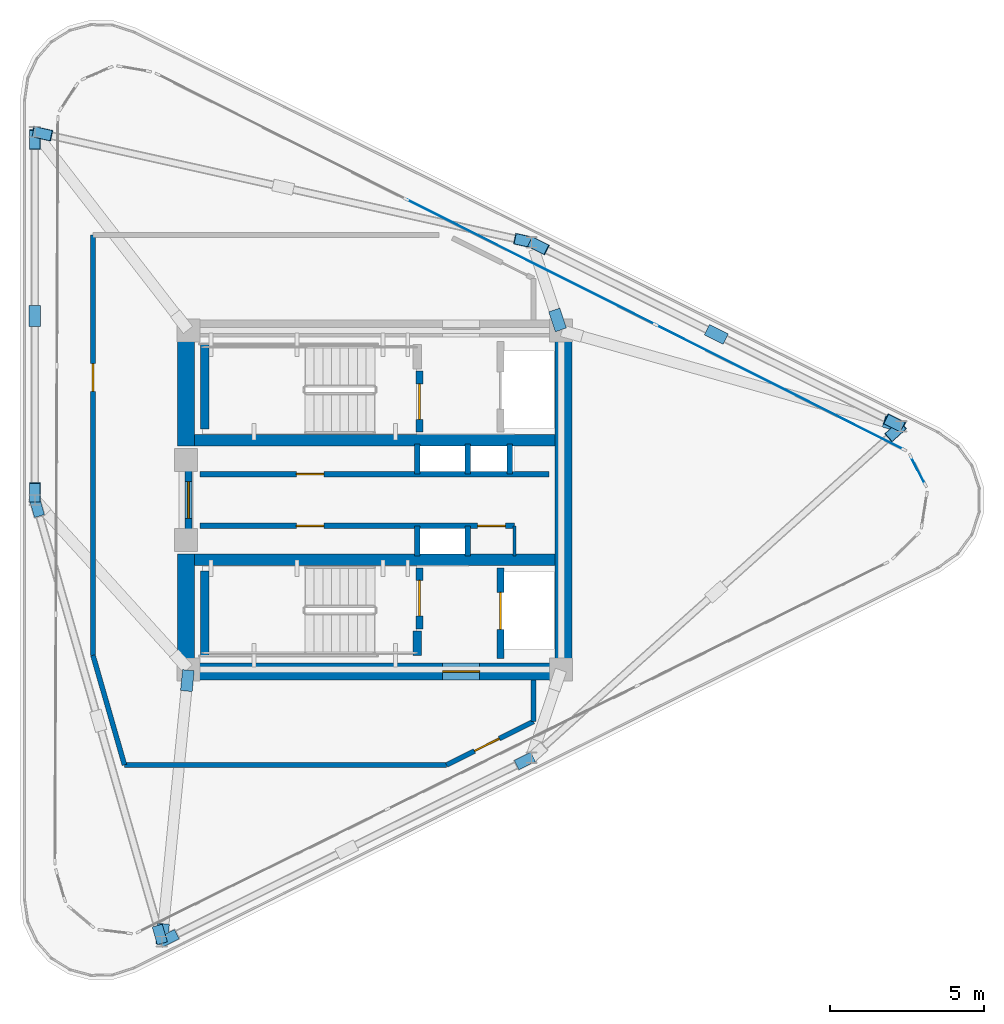
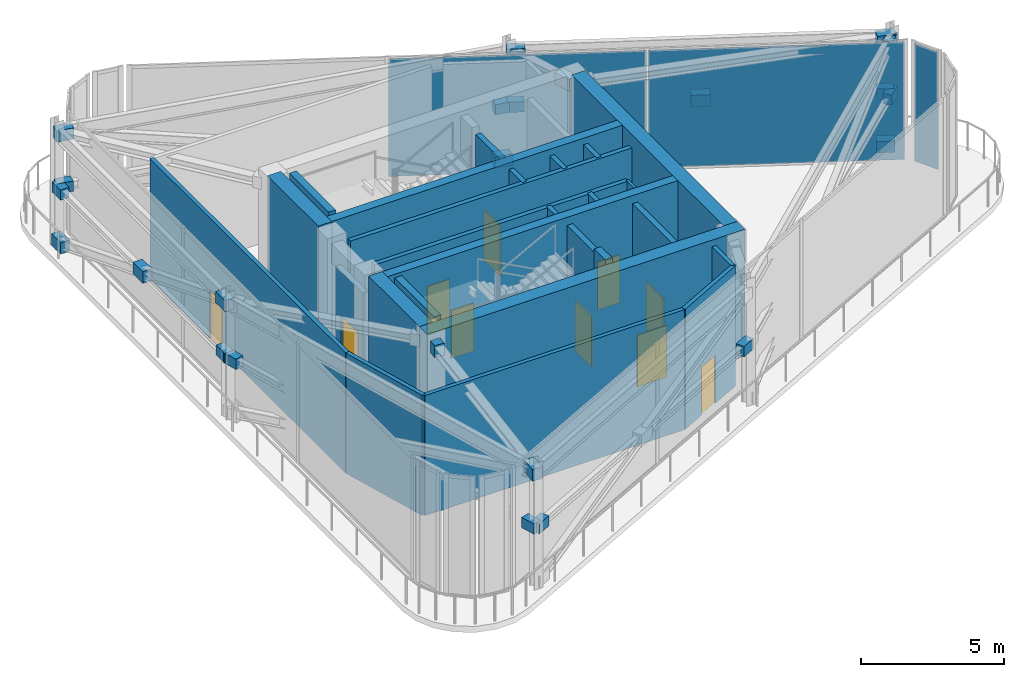
# One storey, part 4 of 9: 27 plates, 26 walls, 10 doors, 10 openings, 2 elements without a shape of their own.
"""IFC4 building model written with IfcOpenShell, lengths in metres."""

from ifc_helpers import new_model, si_unit, direction, frame, frame_2d, origin, origin_2d, place, context, subcontext, project, spatial, rectangle, extrude, source, transform, mapped, material, layer, layer_set, type_object, element, fill, aggregate, save


model = new_model("IFC4")

# Units and contexts
model_context = context("Model", 3, precision=1e-05, world=origin(), true_north=direction((0.0, 1.0)))
body_context = subcontext(model_context, "Body", "Model", "MODEL_VIEW")
ifc_project = project(units=[si_unit("LENGTHUNIT", "METRE"), si_unit("AREAUNIT", "SQUARE_METRE"), si_unit("VOLUMEUNIT", "CUBIC_METRE"), si_unit("PLANEANGLEUNIT", "RADIAN"), si_unit("MASSUNIT", "GRAM", prefix="KILO")], contexts=[model_context])

# Site, building, storey
site_placement = place(None, origin())
site = spatial("IfcSite", under=ifc_project, at=site_placement, CompositionType="ELEMENT")
building_placement = place(site_placement, origin())
building = spatial("IfcBuilding", under=site, at=building_placement, Name="Yunling Apex Tower", CompositionType="ELEMENT")
storey_placement = place(building_placement, frame((0.0, 0.0, 317.449951171875)))
storey = spatial("IfcBuildingStorey", under=building, at=storey_placement, Name="C01", CompositionType="ELEMENT", Elevation=317.449951171875)

# Plates
ifc_material_1 = material(Name="Steel Q355B", Category="steel")
ifc_layer_1 = layer(ifc_material_1, 0.031982421875)
ifc_layer_set_1 = layer_set([ifc_layer_1], Name="Steel Q355B")
plate_type_1 = type_object("IfcPlateType", Name="NP-GUS-2", PredefinedType="USERDEFINED", material=ifc_layer_set_1)
shared_shape_1 = source(origin(), body_context, "Body", "SweptSolid", [
    extrude(rectangle(XDim=0.64990234375, YDim=0.360107421875, at=origin_2d()), origin(), (0.0, 0.0, 1.0), 0.47998046875),
])
for number, where, z_axis, x_axis, name in (
    (1, (16.906494140625, 2.22998046875, 4.550048828125), (0.0, 0.0, 1.0), (0.744661120495, 0.66744274333, 0.0), "C01 Crown Rafter Head Gusset Plate 352"),
    (2, (16.8701171875, 2.499267578125, 0.06005859375), (0.0, 0.0, 1.0), (-0.895245648325, 0.445572922377, 0.0), "C01 Crown Rafter Foot Gusset Plate 358"),
    (3, (5.302978515625, 8.25634765625, 4.550048828125), (0.0, 0.0, 1.0), (-0.895245648325, 0.445572922377, 0.0), "C01 Crown Rafter Head Gusset Plate 359"),
    (4, (4.85009765625, 8.41650390625, 0.06005859375), (0.0, 0.0, 1.0), (-0.976220395964, 0.216780392341, 0.0), "C01 Crown Rafter Foot Gusset Plate 365"),
    (5, (-10.801025390625, 11.892822265625, 4.550048828125), (0.0, 0.0, 1.0), (-0.976220395964, 0.216780392341, 0.0), "C01 Crown Rafter Head Gusset Plate 366"),
    (6, (-11.037353515625, 11.703369140625, 0.06005859375), (0.0, 0.0, 1.0), (0.0, -1.0, 0.0), "C01 Crown Rafter Foot Gusset Plate 371"),
    (7, (-11.037353515625, 0.241943359375, 4.550048828125), (0.0, 0.0, 1.0), (0.0, -1.0, 0.0), "C01 Crown Rafter Head Gusset Plate 372"),
):
    element("IfcPlate", number, at=place(storey_placement, frame(where, z_axis=z_axis, x_axis=x_axis)), inside=storey, type_object=plate_type_1, Name=name, ObjectType="GUSSET_PLATE", PredefinedType="USERDEFINED", context=body_context, shape_type="MappedRepresentation", body=[
        mapped(shared_shape_1, transform((0.0, 0.0, 0.0), scale=1.0)),
    ])
shared_shape_2 = source(origin(), body_context, "Body", "SweptSolid", [
    extrude(rectangle(XDim=0.679931640625, YDim=0.3798828125, at=origin_2d()), origin(), (0.0, 0.0, 1.0), 0.5),
])
for number, where, z_axis, x_axis, name in (
    (8, (-6.08544921875, -5.86328125, 4.590087890625), (0.0, 0.0, 1.0), (-0.097235493922, -0.995261402206, 0.0), "C01 Crown Tie Strut Core Gusset Plate 349"),
    (9, (-6.890380859375, -14.095703125, 4.590087890625), (0.0, 0.0, 1.0), (-0.097235493922, -0.995261402206, 0.0), "C01 Crown Tie Strut Perimeter Gusset Plate 350"),
    (10, (11.08642578125, 5.377685546875, 2.295166015625), (0.0, 0.0, 1.0), (-0.895245648325, 0.445572922377, 0.0), "C01 Crown Rafter-Purlin Midpoint Gusset Plate 360"),
    (11, (16.853759765625, 2.45703125, 4.590087890625), (0.0, 0.0, 1.0), (0.962549928407, -0.271104473079, 0.0), "C01 Crown Tie Strut Perimeter Gusset Plate 364"),
    (12, (5.93359375, 5.845947265625, 4.590087890625), (0.0, 0.0, 1.0), (-0.318959309298, 0.94776841001, 0.0), "C01 Crown Tie Strut Core Gusset Plate 370"),
    (13, (-11.037353515625, 5.97265625, 2.295166015625), (0.0, 0.0, 1.0), (0.0, -1.0, 0.0), "C01 Crown Rafter-Purlin Midpoint Gusset Plate 373"),
):
    element("IfcPlate", number, at=place(storey_placement, frame(where, z_axis=z_axis, x_axis=x_axis)), inside=storey, type_object=plate_type_1, Name=name, ObjectType="GUSSET_PLATE", PredefinedType="USERDEFINED", context=body_context, shape_type="MappedRepresentation", body=[
        mapped(shared_shape_2, transform((0.0, 0.0, 0.0), scale=1.0)),
    ])
shared_shape_3 = source(origin(), body_context, "Body", "SweptSolid", [
    extrude(rectangle(XDim=0.60009765625, YDim=0.340087890625, at=origin_2d()), origin(), (0.0, 0.0, 1.0), 0.43994140625),
])
for number, where, z_axis, x_axis, name in (
    (14, (-6.697509765625, -14.22900390625, 2.3251953125), (0.0, 0.0, 1.0), (0.895245648325, 0.445572922377, 0.0), "C01 Crown Purlin Column Gusset Plate 347"),
    (15, (4.86962890625, -8.471923828125, 2.3251953125), (0.0, 0.0, 1.0), (0.895245648325, 0.445572922377, 0.0), "C01 Crown Purlin Column Gusset Plate 348"),
    (16, (16.906494140625, 2.22998046875, 2.3251953125), (0.0, 0.0, 1.0), (0.744661120495, 0.66744274333, 0.0), "C01 Crown Purlin Column Gusset Plate 355"),
    (17, (16.8701171875, 2.499267578125, 2.3251953125), (0.0, 0.0, 1.0), (-0.895245648325, 0.445572922377, 0.0), "C01 Crown Purlin Column Gusset Plate 361"),
    (18, (5.302978515625, 8.25634765625, 2.3251953125), (0.0, 0.0, 1.0), (-0.895245648325, 0.445572922377, 0.0), "C01 Crown Purlin Column Gusset Plate 362"),
    (19, (4.85009765625, 8.41650390625, 2.3251953125), (0.0, 0.0, 1.0), (-0.976220395964, 0.216780392341, 0.0), "C01 Crown Purlin Column Gusset Plate 368"),
    (20, (-10.801025390625, 11.892822265625, 2.3251953125), (0.0, 0.0, 1.0), (-0.976220395964, 0.216780392341, 0.0), "C01 Crown Purlin Column Gusset Plate 369"),
    (21, (-11.037353515625, 11.703369140625, 2.3251953125), (0.0, 0.0, 1.0), (0.0, -1.0, 0.0), "C01 Crown Purlin Column Gusset Plate 374"),
    (22, (-11.037353515625, 0.241943359375, 2.3251953125), (0.0, 0.0, 1.0), (0.0, -1.0, 0.0), "C01 Crown Purlin Column Gusset Plate 375"),
    (23, (-10.970458984375, -0.232666015625, 2.3251953125), (0.0, 0.0, 1.0), (0.276476109834, -0.961020790978, 0.0), "C01 Crown Purlin Column Gusset Plate 379"),
    (24, (-6.98095703125, -14.10400390625, 2.3251953125), (0.0, 0.0, 1.0), (0.276476109834, -0.961020790978, 0.0), "C01 Crown Purlin Column Gusset Plate 380"),
):
    element("IfcPlate", number, at=place(storey_placement, frame(where, z_axis=z_axis, x_axis=x_axis)), inside=storey, type_object=plate_type_1, Name=name, ObjectType="GUSSET_PLATE", PredefinedType="USERDEFINED", context=body_context, shape_type="MappedRepresentation", body=[
        mapped(shared_shape_3, transform((0.0, 0.0, 0.0), scale=1.0)),
    ])

# Curtain wall, plates
ifc_material_2 = material(Name="Bronze anodised aluminium", Category="aluminium")
ifc_layer_2 = layer(ifc_material_2, 0.179931640625)
ifc_layer_set_2 = layer_set([ifc_layer_2], Name="Bronze anodised aluminium")
curtain_wall_type = type_object("IfcCurtainWallType", Name="CW-SYS-6", PredefinedType="NOTDEFINED", material=ifc_layer_set_2)
curtain_wall_1_placement = place(storey_placement, origin())
curtain_wall_1 = element("IfcCurtainWall", 25, at=curtain_wall_1_placement, inside=storey, type_object=curtain_wall_type, Name="CW-C01-05", PredefinedType="NOTDEFINED")
ifc_material_3 = material(Name="Bronze fritted laminated crown glass", Category="glass")
ifc_layer_3 = layer(ifc_material_3, 0.02587890625)
ifc_layer_set_3 = layer_set([ifc_layer_3], Name="Bronze fritted laminated crown glass")
plate_type_2 = type_object("IfcPlateType", Name="CW-PNL-6", PredefinedType="CURTAIN_PANEL", material=ifc_layer_set_3)
shared_shape_4 = source(origin(), body_context, "Body", "SweptSolid", [
    extrude(rectangle(XDim=8.96728515625, YDim=0.02587890625, at=origin_2d()), origin(), (0.0, 0.0, 1.0), 5.005615234375),
])
plate_1_placement = place(storey_placement, frame((13.1474609375, 3.662353515625, 0.0673828125), z_axis=(0.0, 0.0, 1.0), x_axis=(0.893417296148, -0.449227709457, 0.0)))
plate_1 = element("IfcPlate", 26, at=plate_1_placement, type_object=plate_type_2, Name="CW-SYS-6 panel 3.1", PredefinedType="CURTAIN_PANEL", context=body_context, shape_type="MappedRepresentation", body=[
    mapped(shared_shape_4, transform((0.0, 0.0, 0.0), scale=1.0)),
])
shared_shape_5 = source(origin(), body_context, "Body", "SweptSolid", [
    extrude(rectangle(XDim=9.004638671875, YDim=0.02587890625, at=origin_2d()), origin(), (0.0, 0.0, 1.0), 5.005615234375),
])
plate_2_placement = place(storey_placement, frame((5.06591796875, 7.725830078125, 0.0673828125), z_axis=(0.0, 0.0, 1.0), x_axis=(0.893417296148, -0.449227709457, 0.0)))
plate_2 = element("IfcPlate", 27, at=plate_2_placement, type_object=plate_type_2, Name="CW-SYS-6 panel 2.1", PredefinedType="CURTAIN_PANEL", context=body_context, shape_type="MappedRepresentation", body=[
    mapped(shared_shape_5, transform((0.0, 0.0, 0.0), scale=1.0)),
])
aggregate(curtain_wall_1, [plate_2, plate_1])

# Curtain wall, plate
curtain_wall_2_placement = place(storey_placement, origin())
curtain_wall_2 = element("IfcCurtainWall", 28, at=curtain_wall_2_placement, inside=storey, type_object=curtain_wall_type, Name="CW-C01-06", PredefinedType="NOTDEFINED")
shared_shape_6 = source(origin(), body_context, "Body", "SweptSolid", [
    extrude(rectangle(XDim=0.99462890625, YDim=0.02587890625, at=origin_2d()), origin(), (0.0, 0.0, 1.0), 5.005615234375),
])
plate_3_placement = place(storey_placement, frame((17.6337890625, 0.95556640625, 0.0673828125), z_axis=(0.0, 0.0, 1.0), x_axis=(0.45756209706, -0.889177669161, 0.0)))
plate_3 = element("IfcPlate", 29, at=plate_3_placement, type_object=plate_type_2, Name="CW-SYS-6 panel 1.1", PredefinedType="CURTAIN_PANEL", context=body_context, shape_type="MappedRepresentation", body=[
    mapped(shared_shape_6, transform((0.0, 0.0, 0.0), scale=1.0)),
])
aggregate(curtain_wall_2, [plate_3])

# Wall, opening, door
ifc_material_4 = material(Name="Concrete C40", Category="concrete")
ifc_layer_4 = layer(ifc_material_4, 0.550048828125)
ifc_layer_set_4 = layer_set([ifc_layer_4], Name="Concrete C40")
wall_type_1 = type_object("IfcWallType", Name="WL-COR-3", PredefinedType="SHEAR", material=ifc_layer_set_4)
wall_1_placement = place(storey_placement, frame((-6.39990234375, -5.574951171875, 0.0), z_axis=(0.0, 0.0, 1.0), x_axis=(1.0, 0.0, 0.0)))
wall_1 = element("IfcWall", 30, at=wall_1_placement, inside=storey, type_object=wall_type_1, Name="C01 South Core Shear Wall", PredefinedType="SHEAR", context=body_context, shape_type="SweptSolid", body=[
    extrude(rectangle(XDim=12.7998046875, YDim=0.550048828125, at=frame_2d((6.39990234375, 0.0))), origin(), (0.0, 0.0, 1.0), 5.400146484375),
])
opening_1_placement = place(wall_1_placement, frame((8.60009765625, 0.0, 0.0)))
opening_1 = element("IfcOpeningElement", 31, at=opening_1_placement, cuts=wall_1, Name="Opening DR-FFL-1", PredefinedType="OPENING", context=body_context, shape_type="SweptSolid", body=[
    extrude(rectangle(XDim=1.199951171875, YDim=2.199951171875, at=frame_2d((0.60009765625, 1.10009765625))), frame((0.0, 0.28515625, 0.0), z_axis=(0.0, -1.0, 0.0), x_axis=(1.0, 0.0, 0.0)), (0.0, 0.0, 1.0), 0.570068359375),
])
door_type_1 = type_object("IfcDoorType", Name="DR-FFL-1", OperationType="NOTDEFINED", PredefinedType="DOOR", material=ifc_material_1)
door_1_placement = place(opening_1_placement, origin())
door_1 = element("IfcDoor", 32, at=door_1_placement, inside=storey, type_object=door_type_1, Name="C01 South Firefighting Lobby Door", OperationType="SINGLE_SWING_RIGHT", OverallHeight=2.199951171875, OverallWidth=1.199951171875, PredefinedType="DOOR", context=body_context, shape_type="SweptSolid", body=[
    extrude(rectangle(XDim=1.199951171875, YDim=2.199951171875, at=frame_2d((0.60009765625, 1.10009765625))), frame((0.0, 0.02490234375, 0.0), z_axis=(0.0, -1.0, 0.0), x_axis=(1.0, 0.0, 0.0)), (0.0, 0.0, 1.0), 0.050048828125),
])
fill(opening_1, door_1)

# Walls
wall_2_placement = place(storey_placement, frame((6.125, -5.300048828125, 0.0), z_axis=(0.0, 0.0, 1.0), x_axis=(0.0, 1.0, 0.0)))
element("IfcWall", 33, at=wall_2_placement, inside=storey, type_object=wall_type_1, Name="C01 East Core Shear Wall", PredefinedType="SHEAR", context=body_context, shape_type="SweptSolid", body=[
    extrude(rectangle(XDim=10.60009765625, YDim=0.550048828125, at=frame_2d((5.300048828125, 0.0))), origin(), (0.0, 0.0, 1.0), 5.400146484375),
])
for number, where, z_axis, x_axis, name in (
    (34, (-6.125, -5.300048828125, 0.0), (0.0, 0.0, 1.0), (0.0, 1.0, 0.0), "C01 West-South Core Shear Wall"),
    (35, (-6.125, 1.75, 0.0), (0.0, 0.0, 1.0), (0.0, 1.0, 0.0), "C01 West-North Core Shear Wall"),
):
    element("IfcWall", number, at=place(storey_placement, frame(where, z_axis=z_axis, x_axis=x_axis)), inside=storey, type_object=wall_type_1, Name=name, PredefinedType="SHEAR", context=body_context, shape_type="SweptSolid", body=[
        extrude(rectangle(XDim=3.550048828125, YDim=0.550048828125, at=frame_2d((1.77490234375, 0.0))), origin(), (0.0, 0.0, 1.0), 5.400146484375),
    ])
ifc_layer_5 = layer(ifc_material_4, 0.360107421875)
ifc_layer_set_5 = layer_set([ifc_layer_5], Name="Concrete C40")
wall_type_2 = type_object("IfcWallType", Name="WL-COR-4", PredefinedType="SHEAR", material=ifc_layer_set_5)
for number, where, z_axis, x_axis, name in (
    (36, (-5.85009765625, 1.93994140625, 0.0), (0.0, 0.0, 1.0), (1.0, 0.0, 0.0), "C01 North Internal Core Shear Wall"),
    (37, (-5.85009765625, -1.93994140625, 0.0), (0.0, 0.0, 1.0), (1.0, 0.0, 0.0), "C01 South Internal Core Shear Wall"),
):
    element("IfcWall", number, at=place(storey_placement, frame(where, z_axis=z_axis, x_axis=x_axis)), inside=storey, type_object=wall_type_2, Name=name, PredefinedType="SHEAR", context=body_context, shape_type="SweptSolid", body=[
        extrude(rectangle(XDim=11.7001953125, YDim=0.360107421875, at=frame_2d((5.85009765625, 0.0))), origin(), (0.0, 0.0, 1.0), 5.400146484375),
    ])
ifc_layer_6 = layer(ifc_material_4, 0.280029296875)
ifc_layer_set_6 = layer_set([ifc_layer_6], Name="Concrete C40")
wall_type_3 = type_object("IfcWallType", Name="WL-COR-8", PredefinedType="SHEAR", material=ifc_layer_set_6)
for number, where, z_axis, x_axis, name in (
    (38, (-5.52001953125, 2.300048828125, 0.0), (0.0, 0.0, 1.0), (0.0, 1.0, 0.0), "C01 ST-1 West Landing Bearing Wall"),
    (39, (-5.52001953125, -5.050048828125, 0.0), (0.0, 0.0, 1.0), (0.0, 1.0, 0.0), "C01 ST-2 West Landing Bearing Wall"),
):
    element("IfcWall", number, at=place(storey_placement, frame(where, z_axis=z_axis, x_axis=x_axis)), inside=storey, type_object=wall_type_3, Name=name, PredefinedType="SHEAR", context=body_context, shape_type="SweptSolid", body=[
        extrude(rectangle(XDim=2.75, YDim=0.280029296875, at=frame_2d((1.375, 0.0))), origin(), (0.0, 0.0, 1.0), 5.400146484375),
    ])
wall_3_placement = place(storey_placement, frame((1.3798828125, -5.050048828125, 0.0), z_axis=(0.0, 0.0, 1.0), x_axis=(0.0, 1.0, 0.0)))
element("IfcWall", 40, at=wall_3_placement, inside=storey, type_object=wall_type_3, Name="C01 ST-2 East Landing Bearing Pier", PredefinedType="SHEAR", context=body_context, shape_type="SweptSolid", body=[
    extrude(rectangle(XDim=0.800048828125, YDim=0.280029296875, at=frame_2d((0.39990234375, 0.0))), origin(), (0.0, 0.0, 1.0), 5.400146484375),
])
ifc_material_5 = material(Name="Gypsum board acoustic partition")
ifc_layer_7 = layer(ifc_material_5, 0.159912109375)
ifc_layer_set_7 = layer_set([ifc_layer_7], Name="Gypsum board acoustic partition")
wall_type_4 = type_object("IfcWallType", Name="WL-PRT-1", PredefinedType="PARTITIONING", material=ifc_layer_set_7)
wall_4_placement = place(storey_placement, frame((-8.126953125, -8.60009765625, 0.0), z_axis=(0.0, 0.0, 1.0), x_axis=(-0.276340929224, 0.961059670799, 0.0)))
element("IfcWall", 41, at=wall_4_placement, inside=storey, type_object=wall_type_4, Name="WL-C01-CPCR-01", PredefinedType="PARTITIONING", context=body_context, shape_type="SweptSolid", body=[
    extrude(rectangle(XDim=3.70166015625, YDim=0.159912109375, at=frame_2d((1.850830078125, 0.0))), origin(), (0.0, 0.0, 1.0), 5.1201171875),
])

# Wall, opening, door
wall_5_placement = place(storey_placement, frame((-9.14990234375, -5.04248046875, 0.0), z_axis=(0.0, 0.0, 1.0), x_axis=(0.0, 1.0, 0.0)))
wall_5 = element("IfcWall", 42, at=wall_5_placement, inside=storey, type_object=wall_type_4, Name="WL-C01-CPCR-02", PredefinedType="PARTITIONING", context=body_context, shape_type="SweptSolid", body=[
    extrude(rectangle(XDim=13.642578125, YDim=0.159912109375, at=frame_2d((6.8212890625, 0.0))), origin(), (0.0, 0.0, 1.0), 5.1201171875),
])
opening_2_placement = place(wall_5_placement, frame((8.568115234375, 0.0, 0.0)))
opening_2 = element("IfcOpeningElement", 43, at=opening_2_placement, cuts=wall_5, Name="Opening DR-SHF-1", PredefinedType="OPENING", context=body_context, shape_type="SweptSolid", body=[
    extrude(rectangle(XDim=0.89990234375, YDim=2.050048828125, at=frame_2d((0.449951171875, 1.02490234375))), frame((0.0, 0.08984375, 0.0), z_axis=(0.0, -1.0, 0.0), x_axis=(1.0, 0.0, 0.0)), (0.0, 0.0, 1.0), 0.179931640625),
])
door_type_2 = type_object("IfcDoorType", Name="DR-SHF-1", OperationType="NOTDEFINED", PredefinedType="DOOR", material=ifc_material_1)
door_2_placement = place(opening_2_placement, origin())
door_2 = element("IfcDoor", 44, at=door_2_placement, inside=storey, type_object=door_type_2, Name="C01 High-Zone Primary AHU Ventilation Plant Room Door", OperationType="SINGLE_SWING_RIGHT", OverallHeight=2.050048828125, OverallWidth=0.89990234375, PredefinedType="DOOR", context=body_context, shape_type="SweptSolid", body=[
    extrude(rectangle(XDim=0.89990234375, YDim=2.050048828125, at=frame_2d((0.449951171875, 1.02490234375))), frame((0.0, 0.02490234375, 0.0), z_axis=(0.0, -1.0, 0.0), x_axis=(1.0, 0.0, 0.0)), (0.0, 0.0, 1.0), 0.050048828125),
])
fill(opening_2, door_2)

# Wall
wall_6_placement = place(storey_placement, frame((5.14990234375, -5.85009765625, 0.0), z_axis=(0.0, 0.0, 1.0), x_axis=(0.0, -1.0, 0.0)))
element("IfcWall", 45, at=wall_6_placement, inside=storey, type_object=wall_type_4, Name="WL-C01-CPCR-07", PredefinedType="PARTITIONING", context=body_context, shape_type="SweptSolid", body=[
    extrude(rectangle(XDim=1.34423828125, YDim=0.159912109375, at=frame_2d((0.672119140625, 0.0))), origin(), (0.0, 0.0, 1.0), 5.1201171875),
])

# Wall, opening, door
wall_7_placement = place(storey_placement, frame((5.14990234375, -7.1943359375, 0.0), z_axis=(0.0, 0.0, 1.0), x_axis=(-0.895230583317, -0.445603189725, 0.0)))
wall_7 = element("IfcWall", 46, at=wall_7_placement, inside=storey, type_object=wall_type_4, Name="WL-C01-CPCR-08", PredefinedType="PARTITIONING", context=body_context, shape_type="SweptSolid", body=[
    extrude(rectangle(XDim=3.15478515625, YDim=0.159912109375, at=frame_2d((1.577392578125, 0.0))), origin(), (0.0, 0.0, 1.0), 5.1201171875),
])
opening_3_placement = place(wall_7_placement, frame((1.240234375, 0.0, 0.0)))
opening_3 = element("IfcOpeningElement", 47, at=opening_3_placement, cuts=wall_7, Name="Opening DR-SHF-1", PredefinedType="OPENING", context=body_context, shape_type="SweptSolid", body=[
    extrude(rectangle(XDim=0.89990234375, YDim=2.050048828125, at=frame_2d((0.449951171875, 1.02490234375))), frame((0.0, 0.08984375, 0.0), z_axis=(0.0, -1.0, 0.0), x_axis=(1.0, 0.0, 0.0)), (0.0, 0.0, 1.0), 0.179931640625),
])
door_3_placement = place(opening_3_placement, origin())
door_3 = element("IfcDoor", 48, at=door_3_placement, inside=storey, type_object=door_type_2, Name="C01 Rooftop Centrifugal Chiller Plant Room Door", OperationType="SINGLE_SWING_RIGHT", OverallHeight=2.050048828125, OverallWidth=0.89990234375, PredefinedType="DOOR", context=body_context, shape_type="SweptSolid", body=[
    extrude(rectangle(XDim=0.89990234375, YDim=2.050048828125, at=frame_2d((0.449951171875, 1.02490234375))), frame((0.0, 0.02490234375, 0.0), z_axis=(0.0, -1.0, 0.0), x_axis=(1.0, 0.0, 0.0)), (0.0, 0.0, 1.0), 0.050048828125),
])
fill(opening_3, door_3)

# Walls
wall_8_placement = place(storey_placement, frame((2.32568359375, -8.60009765625, 0.0), z_axis=(0.0, 0.0, 1.0), x_axis=(-1.0, 0.0, 0.0)))
element("IfcWall", 49, at=wall_8_placement, inside=storey, type_object=wall_type_4, Name="WL-C01-CPCR-09", PredefinedType="PARTITIONING", context=body_context, shape_type="SweptSolid", body=[
    extrude(rectangle(XDim=10.45263671875, YDim=0.159912109375, at=frame_2d((5.226318359375, 0.0))), origin(), (0.0, 0.0, 1.0), 5.1201171875),
])
ifc_layer_8 = layer(ifc_material_5, 0.10009765625)
ifc_layer_set_8 = layer_set([ifc_layer_8], Name="Gypsum board acoustic partition")
wall_type_5 = type_object("IfcWallType", Name="WL-PRT-4", PredefinedType="PARTITIONING", material=ifc_layer_set_8)
wall_9_placement = place(storey_placement, frame((4.5400390625, -1.820068359375, 0.0), z_axis=(0.0, 0.0, 1.0), x_axis=(0.0, 1.0, 0.0)))
element("IfcWall", 50, at=wall_9_placement, inside=storey, type_object=wall_type_5, Name="WL-KASE-E-C01", PredefinedType="PARTITIONING", context=body_context, shape_type="SweptSolid", body=[
    extrude(rectangle(XDim=0.97998046875, YDim=0.10009765625, at=frame_2d((0.489990234375, 0.0))), origin(), (0.0, 0.0, 1.0), 5.1201171875),
])

# Wall, opening, door
ifc_material_6 = material(Name="Autoclaved aerated concrete masonry", Category="masonry")
ifc_layer_9 = layer(ifc_material_6, 0.219970703125)
ifc_layer_set_9 = layer_set([ifc_layer_9], Name="Autoclaved aerated concrete masonry")
wall_type_6 = type_object("IfcWallType", Name="WL-SHF-1", PredefinedType="PLUMBINGWALL", material=ifc_layer_set_9)
wall_10_placement = place(storey_placement, frame((-6.050048828125, -0.949951171875, 0.0), z_axis=(0.0, 0.0, 1.0), x_axis=(0.0, 1.0, 0.0)))
wall_10 = element("IfcWall", 51, at=wall_10_placement, inside=storey, type_object=wall_type_6, Name="WL-COR-WPORT-C01", PredefinedType="PLUMBINGWALL", context=body_context, shape_type="SweptSolid", body=[
    extrude(rectangle(XDim=1.89990234375, YDim=0.219970703125, at=frame_2d((0.949951171875, 0.0))), origin(), (0.0, 0.0, 1.0), 4.10009765625),
])
opening_4_placement = place(wall_10_placement, frame((0.35009765625, 0.0, 0.0)))
opening_4 = element("IfcOpeningElement", 52, at=opening_4_placement, cuts=wall_10, Name="Opening DR-FFL-1", PredefinedType="OPENING", context=body_context, shape_type="SweptSolid", body=[
    extrude(rectangle(XDim=1.199951171875, YDim=2.199951171875, at=frame_2d((0.60009765625, 1.10009765625))), frame((0.0, 0.1201171875, 0.0), z_axis=(0.0, -1.0, 0.0), x_axis=(1.0, 0.0, 0.0)), (0.0, 0.0, 1.0), 0.239990234375),
])
door_4_placement = place(opening_4_placement, origin())
door_4 = element("IfcDoor", 53, at=door_4_placement, inside=storey, type_object=door_type_1, Name="C01 Passenger Lift Lobby Entrance Door", OperationType="SINGLE_SWING_RIGHT", OverallHeight=2.199951171875, OverallWidth=1.199951171875, PredefinedType="DOOR", context=body_context, shape_type="SweptSolid", body=[
    extrude(rectangle(XDim=1.199951171875, YDim=2.199951171875, at=frame_2d((0.60009765625, 1.10009765625))), frame((0.0, 0.02490234375, 0.0), z_axis=(0.0, -1.0, 0.0), x_axis=(1.0, 0.0, 0.0)), (0.0, 0.0, 1.0), 0.050048828125),
])
fill(opening_4, door_4)

wall_11_placement = place(storey_placement, frame((1.449951171875, 2.199951171875, 0.0), z_axis=(0.0, 0.0, 1.0), x_axis=(0.0, 1.0, 0.0)))
wall_11 = element("IfcWall", 54, at=wall_11_placement, inside=storey, type_object=wall_type_6, Name="WL-ST1-E-C01", PredefinedType="PLUMBINGWALL", context=body_context, shape_type="SweptSolid", body=[
    extrude(rectangle(XDim=1.97998046875, YDim=0.219970703125, at=frame_2d((0.989990234375, 0.0))), origin(), (0.0, 0.0, 1.0), 5.1201171875),
])
opening_5_placement = place(wall_11_placement, frame((0.419921875, 0.0, 0.0)))
opening_5 = element("IfcOpeningElement", 55, at=opening_5_placement, cuts=wall_11, Name="Opening DR-ST-1", PredefinedType="OPENING", context=body_context, shape_type="SweptSolid", body=[
    extrude(rectangle(XDim=1.14990234375, YDim=2.14990234375, at=frame_2d((0.574951171875, 1.074951171875))), frame((0.0, 0.1201171875, 0.0), z_axis=(0.0, -1.0, 0.0), x_axis=(1.0, 0.0, 0.0)), (0.0, 0.0, 1.0), 0.239990234375),
])
door_type_3 = type_object("IfcDoorType", Name="DR-ST-1", OperationType="NOTDEFINED", PredefinedType="DOOR", material=ifc_material_1)
door_5_placement = place(opening_5_placement, origin())
door_5 = element("IfcDoor", 56, at=door_5_placement, inside=storey, type_object=door_type_3, Name="C01 Stair ST-1 Fire Door", OperationType="SINGLE_SWING_LEFT", OverallHeight=2.14990234375, OverallWidth=1.14990234375, PredefinedType="DOOR", context=body_context, shape_type="SweptSolid", body=[
    extrude(rectangle(XDim=1.14990234375, YDim=2.14990234375, at=frame_2d((0.574951171875, 1.074951171875))), frame((0.0, 0.02490234375, 0.0), z_axis=(0.0, -1.0, 0.0), x_axis=(1.0, 0.0, 0.0)), (0.0, 0.0, 1.0), 0.050048828125),
])
fill(opening_5, door_5)

wall_12_placement = place(storey_placement, frame((1.449951171875, -4.179931640625, 0.0), z_axis=(0.0, 0.0, 1.0), x_axis=(0.0, 1.0, 0.0)))
wall_12 = element("IfcWall", 57, at=wall_12_placement, inside=storey, type_object=wall_type_6, Name="WL-ST2-E-C01", PredefinedType="PLUMBINGWALL", context=body_context, shape_type="SweptSolid", body=[
    extrude(rectangle(XDim=1.97998046875, YDim=0.219970703125, at=frame_2d((0.989990234375, 0.0))), origin(), (0.0, 0.0, 1.0), 5.1201171875),
])
opening_6_placement = place(wall_12_placement, frame((0.419921875, 0.0, 0.0)))
opening_6 = element("IfcOpeningElement", 58, at=opening_6_placement, cuts=wall_12, Name="Opening DR-ST-1", PredefinedType="OPENING", context=body_context, shape_type="SweptSolid", body=[
    extrude(rectangle(XDim=1.14990234375, YDim=2.14990234375, at=frame_2d((0.574951171875, 1.074951171875))), frame((0.0, 0.1201171875, 0.0), z_axis=(0.0, -1.0, 0.0), x_axis=(1.0, 0.0, 0.0)), (0.0, 0.0, 1.0), 0.239990234375),
])
door_6_placement = place(opening_6_placement, origin())
door_6 = element("IfcDoor", 59, at=door_6_placement, inside=storey, type_object=door_type_3, Name="C01 Stair ST-2 Fire Door", OperationType="SINGLE_SWING_RIGHT", OverallHeight=2.14990234375, OverallWidth=1.14990234375, PredefinedType="DOOR", context=body_context, shape_type="SweptSolid", body=[
    extrude(rectangle(XDim=1.14990234375, YDim=2.14990234375, at=frame_2d((0.574951171875, 1.074951171875))), frame((0.0, 0.02490234375, 0.0), z_axis=(0.0, -1.0, 0.0), x_axis=(1.0, 0.0, 0.0)), (0.0, 0.0, 1.0), 0.050048828125),
])
fill(opening_6, door_6)

wall_13_placement = place(storey_placement, frame((4.080078125, -5.14990234375, 0.0), z_axis=(0.0, 0.0, 1.0), x_axis=(0.0, 1.0, 0.0)))
wall_13 = element("IfcWall", 60, at=wall_13_placement, inside=storey, type_object=wall_type_6, Name="WL-FFL2-W-C01", PredefinedType="PLUMBINGWALL", context=body_context, shape_type="SweptSolid", body=[
    extrude(rectangle(XDim=2.949951171875, YDim=0.219970703125, at=frame_2d((1.47509765625, 0.0))), origin(), (0.0, 0.0, 1.0), 5.1201171875),
])
opening_7_placement = place(wall_13_placement, frame((0.949951171875, 0.0, 0.0)))
opening_7 = element("IfcOpeningElement", 61, at=opening_7_placement, cuts=wall_13, Name="Opening LD-FFL-1", PredefinedType="OPENING", context=body_context, shape_type="SweptSolid", body=[
    extrude(rectangle(XDim=1.199951171875, YDim=2.25, at=frame_2d((0.60009765625, 1.125))), frame((0.0, 0.1201171875, 0.0), z_axis=(0.0, -1.0, 0.0), x_axis=(1.0, 0.0, 0.0)), (0.0, 0.0, 1.0), 0.239990234375),
])
door_type_4 = type_object("IfcDoorType", Name="LD-FFL-1", OperationType="DOUBLE_DOOR_SLIDING", PredefinedType="DOOR", material=ifc_material_1)
door_7_placement = place(opening_7_placement, origin())
door_7 = element("IfcDoor", 62, at=door_7_placement, inside=storey, type_object=door_type_4, Name="C01 Lift FFL-2 Landing Door", OperationType="DOUBLE_DOOR_SLIDING", OverallHeight=2.25, OverallWidth=1.199951171875, PredefinedType="DOOR", context=body_context, shape_type="SweptSolid", body=[
    extrude(rectangle(XDim=1.199951171875, YDim=2.25, at=frame_2d((0.60009765625, 1.125))), frame((0.0, 0.02490234375, 0.0), z_axis=(0.0, -1.0, 0.0), x_axis=(1.0, 0.0, 0.0)), (0.0, 0.0, 1.0), 0.050048828125),
])
fill(opening_7, door_7)

# Walls
ifc_layer_10 = layer(ifc_material_6, 0.179931640625)
ifc_layer_set_10 = layer_set([ifc_layer_10], Name="Autoclaved aerated concrete masonry")
wall_type_7 = type_object("IfcWallType", Name="WL-SHF-2", PredefinedType="PLUMBINGWALL", material=ifc_layer_set_10)
for number, where, z_axis, x_axis, name in (
    (63, (1.3798828125, 0.840087890625, 0.0), (0.0, 0.0, 1.0), (0.0, 1.0, 0.0), "WL-BNK-MH-N-C01"),
    (64, (1.3798828125, -1.820068359375, 0.0), (0.0, 0.0, 1.0), (0.0, 1.0, 0.0), "WL-BNK-MH-S-C01"),
    (65, (3.02001953125, 0.840087890625, 0.0), (0.0, 0.0, 1.0), (0.0, 1.0, 0.0), "WL-DIV-H13-C01"),
    (66, (4.3798828125, 0.840087890625, 0.0), (0.0, 0.0, 1.0), (0.0, 1.0, 0.0), "WL-END-H3E-C01"),
    (67, (3.02001953125, -1.820068359375, 0.0), (0.0, 0.0, 1.0), (0.0, 1.0, 0.0), "WL-END-H2E-C01"),
):
    element("IfcWall", number, at=place(storey_placement, frame(where, z_axis=z_axis, x_axis=x_axis)), inside=storey, type_object=wall_type_7, Name=name, PredefinedType="PLUMBINGWALL", context=body_context, shape_type="SweptSolid", body=[
        extrude(rectangle(XDim=0.97998046875, YDim=0.179931640625, at=frame_2d((0.489990234375, 0.0))), origin(), (0.0, 0.0, 1.0), 5.1201171875),
    ])

# Wall, opening, door
wall_14_placement = place(storey_placement, frame((-5.679931640625, 0.840087890625, 0.0), z_axis=(0.0, 0.0, 1.0), x_axis=(1.0, 0.0, 0.0)))
wall_14 = element("IfcWall", 68, at=wall_14_placement, inside=storey, type_object=wall_type_7, Name="WL-LOB-N-C01", PredefinedType="PLUMBINGWALL", context=body_context, shape_type="SweptSolid", body=[
    extrude(rectangle(XDim=11.329833984375, YDim=0.179931640625, at=frame_2d((5.6650390625, 0.0))), origin(), (0.0, 0.0, 1.0), 5.1201171875),
])
opening_8_placement = place(wall_14_placement, frame((3.1298828125, 0.0, 0.0)))
opening_8 = element("IfcOpeningElement", 69, at=opening_8_placement, cuts=wall_14, Name="Opening DR-SHF-1", PredefinedType="OPENING", context=body_context, shape_type="SweptSolid", body=[
    extrude(rectangle(XDim=0.89990234375, YDim=2.050048828125, at=frame_2d((0.449951171875, 1.02490234375))), frame((0.0, 0.10009765625, 0.0), z_axis=(0.0, -1.0, 0.0), x_axis=(1.0, 0.0, 0.0)), (0.0, 0.0, 1.0), 0.199951171875),
])
door_8_placement = place(opening_8_placement, origin())
door_8 = element("IfcDoor", 70, at=door_8_placement, inside=storey, type_object=door_type_2, Name="C01 Data Plant Door", OperationType="SINGLE_SWING_LEFT", OverallHeight=2.050048828125, OverallWidth=0.89990234375, PredefinedType="DOOR", context=body_context, shape_type="SweptSolid", body=[
    extrude(rectangle(XDim=0.89990234375, YDim=2.050048828125, at=frame_2d((0.449951171875, 1.02490234375))), frame((0.0, 0.02490234375, 0.0), z_axis=(0.0, -1.0, 0.0), x_axis=(1.0, 0.0, 0.0)), (0.0, 0.0, 1.0), 0.050048828125),
])
fill(opening_8, door_8)

# Wall, openings, doors
wall_15_placement = place(storey_placement, frame((-5.679931640625, -0.840087890625, 0.0), z_axis=(0.0, 0.0, 1.0), x_axis=(1.0, 0.0, 0.0)))
wall_15 = element("IfcWall", 71, at=wall_15_placement, inside=storey, type_object=wall_type_7, Name="WL-LOB-S-C01", PredefinedType="PLUMBINGWALL", context=body_context, shape_type="SweptSolid", body=[
    extrude(rectangle(XDim=10.219970703125, YDim=0.179931640625, at=frame_2d((5.10986328125, 0.0))), origin(), (0.0, 0.0, 1.0), 5.1201171875),
])
opening_9_placement = place(wall_15_placement, frame((3.1298828125, 0.0, 0.0)))
opening_9 = element("IfcOpeningElement", 72, at=opening_9_placement, cuts=wall_15, Name="Opening DR-SHF-1", PredefinedType="OPENING", context=body_context, shape_type="SweptSolid", body=[
    extrude(rectangle(XDim=0.89990234375, YDim=2.050048828125, at=frame_2d((0.449951171875, 1.02490234375))), frame((0.0, 0.10009765625, 0.0), z_axis=(0.0, -1.0, 0.0), x_axis=(1.0, 0.0, 0.0)), (0.0, 0.0, 1.0), 0.199951171875),
])
opening_10_placement = place(wall_15_placement, frame((9.02001953125, 0.0, 0.0)))
opening_10 = element("IfcOpeningElement", 73, at=opening_10_placement, cuts=wall_15, Name="Opening DR-SHF-1", PredefinedType="OPENING", context=body_context, shape_type="SweptSolid", body=[
    extrude(rectangle(XDim=0.89990234375, YDim=2.050048828125, at=frame_2d((0.449951171875, 1.02490234375))), frame((0.0, 0.10009765625, 0.0), z_axis=(0.0, -1.0, 0.0), x_axis=(1.0, 0.0, 0.0)), (0.0, 0.0, 1.0), 0.199951171875),
])
door_9_placement = place(opening_9_placement, origin())
door_9 = element("IfcDoor", 74, at=door_9_placement, inside=storey, type_object=door_type_2, Name="C01 Housekeeping Store Door", OperationType="SINGLE_SWING_RIGHT", OverallHeight=2.050048828125, OverallWidth=0.89990234375, PredefinedType="DOOR", context=body_context, shape_type="SweptSolid", body=[
    extrude(rectangle(XDim=0.89990234375, YDim=2.050048828125, at=frame_2d((0.449951171875, 1.02490234375))), frame((0.0, 0.02490234375, 0.0), z_axis=(0.0, -1.0, 0.0), x_axis=(1.0, 0.0, 0.0)), (0.0, 0.0, 1.0), 0.050048828125),
])
fill(opening_9, door_9)
door_10_placement = place(opening_10_placement, origin())
door_10 = element("IfcDoor", 75, at=door_10_placement, inside=storey, type_object=door_type_2, Name="C01 Core Electrical Room Door", OperationType="SINGLE_SWING_LEFT", OverallHeight=2.050048828125, OverallWidth=0.89990234375, PredefinedType="DOOR", context=body_context, shape_type="SweptSolid", body=[
    extrude(rectangle(XDim=0.89990234375, YDim=2.050048828125, at=frame_2d((0.449951171875, 1.02490234375))), frame((0.0, 0.02490234375, 0.0), z_axis=(0.0, -1.0, 0.0), x_axis=(1.0, 0.0, 0.0)), (0.0, 0.0, 1.0), 0.050048828125),
])
fill(opening_10, door_10)

save(model, "model.ifc")
